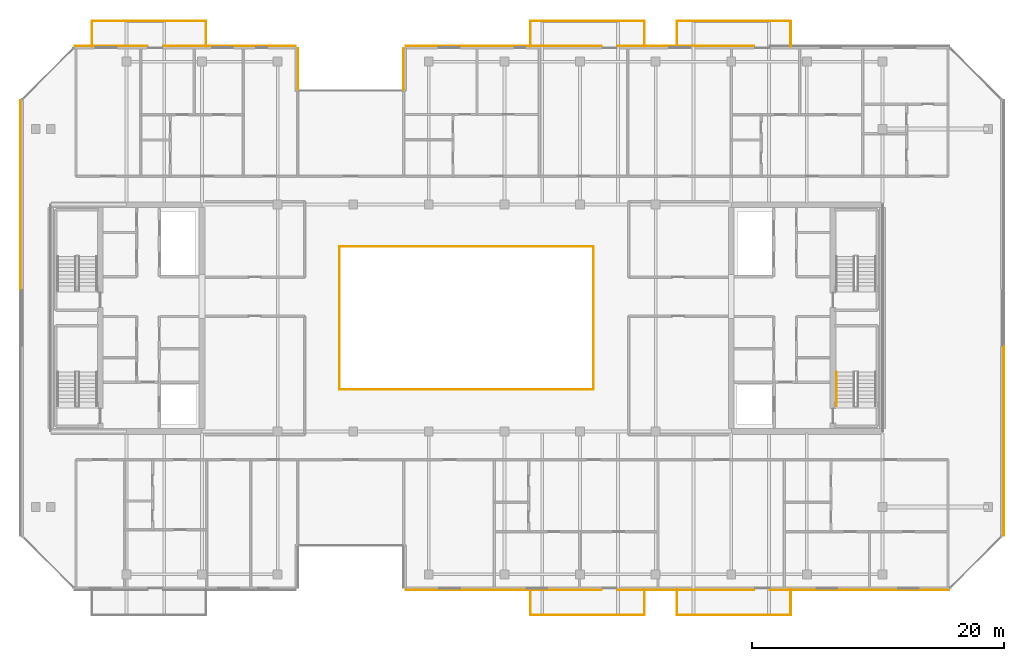
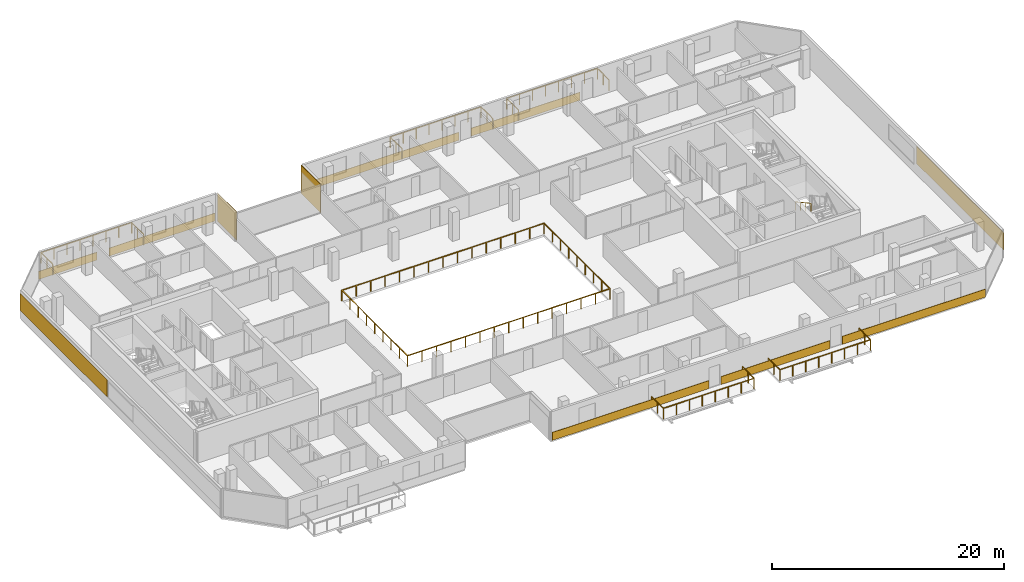
# One storey, part 23 of 24: 11 coverings, 8 railings.
"""IFC4 building model written with IfcOpenShell, lengths in metres."""

from ifc_helpers import new_model, si_unit, direction, frame, origin, origin_2d, place, context, subcontext, project, spatial, rectangle, extrude, material, layer, layer_set, type_object, element, save


model = new_model("IFC4")

# Units and contexts
model_context = context("Model", 3, precision=1e-05, world=origin(), true_north=direction((0.0, 1.0)))
body_context = subcontext(model_context, "Body", "Model", "MODEL_VIEW")
ifc_project = project(units=[si_unit("LENGTHUNIT", "METRE"), si_unit("AREAUNIT", "SQUARE_METRE"), si_unit("VOLUMEUNIT", "CUBIC_METRE"), si_unit("PLANEANGLEUNIT", "RADIAN"), si_unit("MASSUNIT", "GRAM", prefix="KILO")], contexts=[model_context])

# Site, building, storey
site_placement = place(None, origin())
site = spatial("IfcSite", under=ifc_project, at=site_placement, CompositionType="ELEMENT")
building_placement = place(site_placement, origin())
building = spatial("IfcBuilding", under=site, at=building_placement, Name="Tanjung Sevakor Pilgrim Tower", CompositionType="ELEMENT")
storey_placement = place(building_placement, frame((0.0, 0.0, 226.050048828125)))
storey = spatial("IfcBuildingStorey", under=building, at=storey_placement, Name="L63", CompositionType="ELEMENT", Elevation=226.050048828125)

# Coverings
ifc_material_1 = material(Name="Reconstructed Limestone Cladding", Category="masonry")
ifc_layer = layer(ifc_material_1, 0.044921875)
ifc_layer_set = layer_set([ifc_layer], Name="COV-CLAD-LIMESTONE")
covering_type = type_object("IfcCoveringType", Name="COV-CLAD-LIMESTONE", PredefinedType="CLADDING", material=ifc_layer_set)
covering_1_placement = place(storey_placement, frame((59.945068359375, 12.027587890625, 0.009765625), z_axis=(0.0, 0.0, 1.0), x_axis=(1.0, 0.0, 0.0)))
element("IfcCovering", 1, at=covering_1_placement, inside=storey, type_object=covering_type, Name="L63 Warm Limestone Sill Spandrel EW-L63-MAIN-5-1", PredefinedType="CLADDING", context=body_context, shape_type="SweptSolid", body=[
    extrude(rectangle(XDim=15.590087890625, YDim=0.044921875, at=origin_2d()), origin(), (0.0, 0.0, 1.0), 0.840087890625),
])
covering_2_placement = place(storey_placement, frame((74.39990234375, 12.027587890625, 0.009765625), z_axis=(0.0, 0.0, 1.0), x_axis=(1.0, 0.0, 0.0)))
element("IfcCovering", 2, at=covering_2_placement, inside=storey, type_object=covering_type, Name="L63 Warm Limestone Sill Spandrel EW-L63-MAIN-5-2", PredefinedType="CLADDING", context=body_context, shape_type="SweptSolid", body=[
    extrude(rectangle(XDim=10.8798828125, YDim=0.044921875, at=origin_2d()), origin(), (0.0, 0.0, 1.0), 0.840087890625),
])
covering_3_placement = place(storey_placement, frame((88.187255859375, 12.027587890625, 0.009765625), z_axis=(0.0, 0.0, 1.0), x_axis=(1.0, 0.0, 0.0)))
element("IfcCovering", 3, at=covering_3_placement, inside=storey, type_object=covering_type, Name="L63 Warm Limestone Sill Spandrel EW-L63-MAIN-5-3", PredefinedType="CLADDING", context=body_context, shape_type="SweptSolid", body=[
    extrude(rectangle(XDim=14.25439453125, YDim=0.044921875, at=origin_2d()), origin(), (0.0, 0.0, 1.0), 0.840087890625),
])
covering_4_placement = place(storey_placement, frame((99.62255859375, 23.8427734375, 0.849853515625), z_axis=(0.0, 0.0, 1.0), x_axis=(0.0, 1.0, 0.0)))
element("IfcCovering", 4, at=covering_4_placement, inside=storey, type_object=covering_type, Name="L63 Warm Limestone Pier Panel EW-L63-MAIN-7-1", PredefinedType="CLADDING", context=body_context, shape_type="SweptSolid", body=[
    extrude(rectangle(XDim=15.014404296875, YDim=0.044921875, at=origin_2d()), origin(), (0.0, 0.0, 1.0), 1.81005859375),
])
covering_5_placement = place(storey_placement, frame((74.39990234375, 55.172607421875, 0.009765625), z_axis=(0.0, 0.0, 1.0), x_axis=(-1.0, 0.0, 0.0)))
element("IfcCovering", 5, at=covering_5_placement, inside=storey, type_object=covering_type, Name="L63 Warm Limestone Sill Spandrel EW-L63-MAIN-9-2", PredefinedType="CLADDING", context=body_context, shape_type="SweptSolid", body=[
    extrude(rectangle(XDim=10.8798828125, YDim=0.044921875, at=origin_2d()), origin(), (0.0, 0.0, 1.0), 0.840087890625),
])
covering_6_placement = place(storey_placement, frame((59.945068359375, 55.172607421875, 0.009765625), z_axis=(0.0, 0.0, 1.0), x_axis=(-1.0, 0.0, 0.0)))
element("IfcCovering", 6, at=covering_6_placement, inside=storey, type_object=covering_type, Name="L63 Warm Limestone Sill Spandrel EW-L63-MAIN-9-3", PredefinedType="CLADDING", context=body_context, shape_type="SweptSolid", body=[
    extrude(rectangle(XDim=15.590087890625, YDim=0.044921875, at=origin_2d()), origin(), (0.0, 0.0, 1.0), 0.840087890625),
])
for number, where, z_axis, x_axis, name in (
    (7, (51.9775390625, 53.340087890625, 0.02001953125), (0.0, 0.0, 1.0), (0.0, -1.0, 0.0), "L63 Warm Limestone Wall Cladding EW-L63-MAIN-10"),
    (8, (43.62255859375, 53.340087890625, 0.02001953125), (0.0, 0.0, 1.0), (0.0, 1.0, 0.0), "L63 Warm Limestone Wall Cladding EW-L63-MAIN-12"),
):
    element("IfcCovering", number, at=place(storey_placement, frame(where, z_axis=z_axis, x_axis=x_axis)), inside=storey, type_object=covering_type, Name=name, PredefinedType="CLADDING", context=body_context, shape_type="SweptSolid", body=[
        extrude(rectangle(XDim=3.360107421875, YDim=0.044921875, at=origin_2d()), origin(), (0.0, 0.0, 1.0), 2.97998046875),
    ])
covering_7_placement = place(storey_placement, frame((38.179931640625, 55.172607421875, 0.009765625), z_axis=(0.0, 0.0, 1.0), x_axis=(-1.0, 0.0, 0.0)))
element("IfcCovering", 9, at=covering_7_placement, inside=storey, type_object=covering_type, Name="L63 Warm Limestone Sill Spandrel EW-L63-MAIN-13-1", PredefinedType="CLADDING", context=body_context, shape_type="SweptSolid", body=[
    extrude(rectangle(XDim=10.5400390625, YDim=0.044921875, at=origin_2d()), origin(), (0.0, 0.0, 1.0), 0.840087890625),
])
covering_8_placement = place(storey_placement, frame((28.787841796875, 55.172607421875, 0.009765625), z_axis=(0.0, 0.0, 1.0), x_axis=(-1.0, 0.0, 0.0)))
element("IfcCovering", 10, at=covering_8_placement, inside=storey, type_object=covering_type, Name="L63 Warm Limestone Sill Spandrel EW-L63-MAIN-13-2", PredefinedType="CLADDING", context=body_context, shape_type="SweptSolid", body=[
    extrude(rectangle(XDim=5.804443359375, YDim=0.044921875, at=origin_2d()), origin(), (0.0, 0.0, 1.0), 0.840087890625),
])
covering_9_placement = place(storey_placement, frame((21.577392578125, 43.357177734375, 0.849853515625), z_axis=(0.0, 0.0, 1.0), x_axis=(0.0, -1.0, 0.0)))
element("IfcCovering", 11, at=covering_9_placement, inside=storey, type_object=covering_type, Name="L63 Warm Limestone Pier Panel EW-L63-MAIN-15-1", PredefinedType="CLADDING", context=body_context, shape_type="SweptSolid", body=[
    extrude(rectangle(XDim=15.014404296875, YDim=0.044921875, at=origin_2d()), origin(), (0.0, 0.0, 1.0), 1.81005859375),
])

# Railings
ifc_material_2 = material(Name="Laminated Glass and Aluminium", Category="aluminium")
railing_type_1 = type_object("IfcRailingType", Name="RL-BAL-BALUST", PredefinedType="BALUSTRADE", material=ifc_material_2)
railing_1_placement = place(storey_placement, frame((46.919921875, 27.919921875, 0.0)))
element("IfcRailing", 12, at=railing_1_placement, inside=storey, type_object=railing_type_1, Name="L63 Void Opening Balustrade 1A", PredefinedType="BALUSTRADE", context=body_context, shape_type="SweptSolid", body=[
    extrude(rectangle(XDim=0.0479, YDim=0.0479), frame((0.0, 0.0, 1.1259765625), z_axis=(1.0, 0.0, 0.0), x_axis=(0.0, 1.0, 0.0)), (0.0, 0.0, 1.0), 20.16015625),
    extrude(rectangle(XDim=0.0479, YDim=0.0479), frame((20.16015625, 0.0, 1.1259765625), z_axis=(0.0, 1.0, 0.0), x_axis=(-1.0, 0.0, 0.0)), (0.0, 0.0, 1.0), 11.360107421875),
    extrude(rectangle(XDim=0.042, YDim=0.042), origin(), (0.0, 0.0, 1.0), 1.101806640625),
    extrude(rectangle(XDim=0.042, YDim=0.042), frame((1.43994140625, 0.0, 0.0)), (0.0, 0.0, 1.0), 1.101806640625),
    extrude(rectangle(XDim=0.042, YDim=0.042), frame((2.880126953125, 0.0, 0.0)), (0.0, 0.0, 1.0), 1.101806640625),
    extrude(rectangle(XDim=0.042, YDim=0.042), frame((4.320068359375, 0.0, 0.0)), (0.0, 0.0, 1.0), 1.101806640625),
    extrude(rectangle(XDim=0.042, YDim=0.042), frame((5.760009765625, 0.0, 0.0)), (0.0, 0.0, 1.0), 1.101806640625),
    extrude(rectangle(XDim=0.042, YDim=0.042), frame((7.199951171875, 0.0, 0.0)), (0.0, 0.0, 1.0), 1.101806640625),
    extrude(rectangle(XDim=0.042, YDim=0.042), frame((8.64013671875, 0.0, 0.0)), (0.0, 0.0, 1.0), 1.101806640625),
    extrude(rectangle(XDim=0.042, YDim=0.042), frame((10.080078125, 0.0, 0.0)), (0.0, 0.0, 1.0), 1.101806640625),
    extrude(rectangle(XDim=0.042, YDim=0.042), frame((11.52001953125, 0.0, 0.0)), (0.0, 0.0, 1.0), 1.101806640625),
    extrude(rectangle(XDim=0.042, YDim=0.042), frame((12.960205078125, 0.0, 0.0)), (0.0, 0.0, 1.0), 1.101806640625),
    extrude(rectangle(XDim=0.042, YDim=0.042), frame((14.400146484375, 0.0, 0.0)), (0.0, 0.0, 1.0), 1.101806640625),
    extrude(rectangle(XDim=0.042, YDim=0.042), frame((15.840087890625, 0.0, 0.0)), (0.0, 0.0, 1.0), 1.101806640625),
    extrude(rectangle(XDim=0.042, YDim=0.042), frame((17.280029296875, 0.0, 0.0)), (0.0, 0.0, 1.0), 1.101806640625),
    extrude(rectangle(XDim=0.042, YDim=0.042), frame((18.72021484375, 0.0, 0.0)), (0.0, 0.0, 1.0), 1.101806640625),
    extrude(rectangle(XDim=0.042, YDim=0.042), frame((20.16015625, 0.0, 0.0)), (0.0, 0.0, 1.0), 1.101806640625),
    extrude(rectangle(XDim=0.042, YDim=0.042), frame((20.16015625, 1.419921875, 0.0)), (0.0, 0.0, 1.0), 1.101806640625),
    extrude(rectangle(XDim=0.042, YDim=0.042), frame((20.16015625, 2.840087890625, 0.0)), (0.0, 0.0, 1.0), 1.101806640625),
    extrude(rectangle(XDim=0.042, YDim=0.042), frame((20.16015625, 4.260009765625, 0.0)), (0.0, 0.0, 1.0), 1.101806640625),
    extrude(rectangle(XDim=0.042, YDim=0.042), frame((20.16015625, 5.68017578125, 0.0)), (0.0, 0.0, 1.0), 1.101806640625),
    extrude(rectangle(XDim=0.042, YDim=0.042), frame((20.16015625, 7.10009765625, 0.0)), (0.0, 0.0, 1.0), 1.101806640625),
    extrude(rectangle(XDim=0.042, YDim=0.042), frame((20.16015625, 8.52001953125, 0.0)), (0.0, 0.0, 1.0), 1.101806640625),
    extrude(rectangle(XDim=0.042, YDim=0.042), frame((20.16015625, 9.940185546875, 0.0)), (0.0, 0.0, 1.0), 1.101806640625),
    extrude(rectangle(XDim=0.042, YDim=0.042), frame((20.16015625, 11.360107421875, 0.0)), (0.0, 0.0, 1.0), 1.101806640625),
])
railing_2_placement = place(storey_placement, frame((67.080078125, 39.280029296875, 0.0)))
element("IfcRailing", 13, at=railing_2_placement, inside=storey, type_object=railing_type_1, Name="L63 Void Opening Balustrade 1B", PredefinedType="BALUSTRADE", context=body_context, shape_type="SweptSolid", body=[
    extrude(rectangle(XDim=0.0479, YDim=0.0479), frame((0.0, 0.0, 1.1259765625), z_axis=(-1.0, 0.0, 0.0), x_axis=(0.0, -1.0, 0.0)), (0.0, 0.0, 1.0), 20.16015625),
    extrude(rectangle(XDim=0.0479, YDim=0.0479), frame((-20.16015625, 0.0, 1.1259765625), z_axis=(0.0, -1.0, 0.0), x_axis=(1.0, 0.0, 0.0)), (0.0, 0.0, 1.0), 11.360107421875),
    extrude(rectangle(XDim=0.042, YDim=0.042), origin(), (0.0, 0.0, 1.0), 1.101806640625),
    extrude(rectangle(XDim=0.042, YDim=0.042), frame((-1.43994140625, 0.0, 0.0)), (0.0, 0.0, 1.0), 1.101806640625),
    extrude(rectangle(XDim=0.042, YDim=0.042), frame((-2.880126953125, 0.0, 0.0)), (0.0, 0.0, 1.0), 1.101806640625),
    extrude(rectangle(XDim=0.042, YDim=0.042), frame((-4.320068359375, 0.0, 0.0)), (0.0, 0.0, 1.0), 1.101806640625),
    extrude(rectangle(XDim=0.042, YDim=0.042), frame((-5.760009765625, 0.0, 0.0)), (0.0, 0.0, 1.0), 1.101806640625),
    extrude(rectangle(XDim=0.042, YDim=0.042), frame((-7.199951171875, 0.0, 0.0)), (0.0, 0.0, 1.0), 1.101806640625),
    extrude(rectangle(XDim=0.042, YDim=0.042), frame((-8.64013671875, 0.0, 0.0)), (0.0, 0.0, 1.0), 1.101806640625),
    extrude(rectangle(XDim=0.042, YDim=0.042), frame((-10.080078125, 0.0, 0.0)), (0.0, 0.0, 1.0), 1.101806640625),
    extrude(rectangle(XDim=0.042, YDim=0.042), frame((-11.52001953125, 0.0, 0.0)), (0.0, 0.0, 1.0), 1.101806640625),
    extrude(rectangle(XDim=0.042, YDim=0.042), frame((-12.960205078125, 0.0, 0.0)), (0.0, 0.0, 1.0), 1.101806640625),
    extrude(rectangle(XDim=0.042, YDim=0.042), frame((-14.400146484375, 0.0, 0.0)), (0.0, 0.0, 1.0), 1.101806640625),
    extrude(rectangle(XDim=0.042, YDim=0.042), frame((-15.840087890625, 0.0, 0.0)), (0.0, 0.0, 1.0), 1.101806640625),
    extrude(rectangle(XDim=0.042, YDim=0.042), frame((-17.280029296875, 0.0, 0.0)), (0.0, 0.0, 1.0), 1.101806640625),
    extrude(rectangle(XDim=0.042, YDim=0.042), frame((-18.72021484375, 0.0, 0.0)), (0.0, 0.0, 1.0), 1.101806640625),
    extrude(rectangle(XDim=0.042, YDim=0.042), frame((-20.16015625, 0.0, 0.0)), (0.0, 0.0, 1.0), 1.101806640625),
    extrude(rectangle(XDim=0.042, YDim=0.042), frame((-20.16015625, -1.419921875, 0.0)), (0.0, 0.0, 1.0), 1.101806640625),
    extrude(rectangle(XDim=0.042, YDim=0.042), frame((-20.16015625, -2.840087890625, 0.0)), (0.0, 0.0, 1.0), 1.101806640625),
    extrude(rectangle(XDim=0.042, YDim=0.042), frame((-20.16015625, -4.260009765625, 0.0)), (0.0, 0.0, 1.0), 1.101806640625),
    extrude(rectangle(XDim=0.042, YDim=0.042), frame((-20.16015625, -5.68017578125, 0.0)), (0.0, 0.0, 1.0), 1.101806640625),
    extrude(rectangle(XDim=0.042, YDim=0.042), frame((-20.16015625, -7.10009765625, 0.0)), (0.0, 0.0, 1.0), 1.101806640625),
    extrude(rectangle(XDim=0.042, YDim=0.042), frame((-20.16015625, -8.52001953125, 0.0)), (0.0, 0.0, 1.0), 1.101806640625),
    extrude(rectangle(XDim=0.042, YDim=0.042), frame((-20.16015625, -9.940185546875, 0.0)), (0.0, 0.0, 1.0), 1.101806640625),
    extrude(rectangle(XDim=0.042, YDim=0.042), frame((-20.16015625, -11.360107421875, 0.0)), (0.0, 0.0, 1.0), 1.101806640625),
])
railing_3_placement = place(storey_placement, frame((27.280029296875, 55.14990234375, 0.0)))
element("IfcRailing", 14, at=railing_3_placement, inside=storey, type_object=railing_type_1, Name="L63 Loggia Balustrade MAIN-N1", PredefinedType="BALUSTRADE", context=body_context, shape_type="SweptSolid", body=[
    extrude(rectangle(XDim=0.0479, YDim=0.0479), frame((0.0, 0.0, 1.1259765625), z_axis=(0.0, 1.0, 0.0), x_axis=(-1.0, 0.0, 0.0)), (0.0, 0.0, 1.0), 2.02001953125),
    extrude(rectangle(XDim=0.0479, YDim=0.0479), frame((0.0, 2.02001953125, 1.1259765625), z_axis=(1.0, 0.0, 0.0), x_axis=(0.0, 1.0, 0.0)), (0.0, 0.0, 1.0), 9.0400390625),
    extrude(rectangle(XDim=0.0479, YDim=0.0479), frame((9.0400390625, 2.02001953125, 1.1259765625), z_axis=(0.0, -1.0, 0.0), x_axis=(1.0, 0.0, 0.0)), (0.0, 0.0, 1.0), 2.02001953125),
    extrude(rectangle(XDim=0.042, YDim=0.042), origin(), (0.0, 0.0, 1.0), 1.101806640625),
    extrude(rectangle(XDim=0.042, YDim=0.042), frame((0.0, 1.010009765625, 0.0)), (0.0, 0.0, 1.0), 1.101806640625),
    extrude(rectangle(XDim=0.042, YDim=0.042), frame((0.0, 2.02001953125, 0.0)), (0.0, 0.0, 1.0), 1.101806640625),
    extrude(rectangle(XDim=0.042, YDim=0.042), frame((1.29150390625, 2.02001953125, 0.0)), (0.0, 0.0, 1.0), 1.101806640625),
    extrude(rectangle(XDim=0.042, YDim=0.042), frame((2.582763671875, 2.02001953125, 0.0)), (0.0, 0.0, 1.0), 1.101806640625),
    extrude(rectangle(XDim=0.042, YDim=0.042), frame((3.874267578125, 2.02001953125, 0.0)), (0.0, 0.0, 1.0), 1.101806640625),
    extrude(rectangle(XDim=0.042, YDim=0.042), frame((5.165771484375, 2.02001953125, 0.0)), (0.0, 0.0, 1.0), 1.101806640625),
    extrude(rectangle(XDim=0.042, YDim=0.042), frame((6.457275390625, 2.02001953125, 0.0)), (0.0, 0.0, 1.0), 1.101806640625),
    extrude(rectangle(XDim=0.042, YDim=0.042), frame((7.74853515625, 2.02001953125, 0.0)), (0.0, 0.0, 1.0), 1.101806640625),
    extrude(rectangle(XDim=0.042, YDim=0.042), frame((9.0400390625, 2.02001953125, 0.0)), (0.0, 0.0, 1.0), 1.101806640625),
    extrude(rectangle(XDim=0.042, YDim=0.042), frame((9.0400390625, 1.010009765625, 0.0)), (0.0, 0.0, 1.0), 1.101806640625),
    extrude(rectangle(XDim=0.042, YDim=0.042), frame((9.0400390625, 0.0, 0.0)), (0.0, 0.0, 1.0), 1.101806640625),
])
railing_4_placement = place(storey_placement, frame((62.080078125, 12.050048828125, 0.0)))
element("IfcRailing", 15, at=railing_4_placement, inside=storey, type_object=railing_type_1, Name="L63 Loggia Balustrade MAIN-S2", PredefinedType="BALUSTRADE", context=body_context, shape_type="SweptSolid", body=[
    extrude(rectangle(XDim=0.0479, YDim=0.0479), frame((0.0, 0.0, 1.1259765625), z_axis=(0.0, -1.0, 0.0), x_axis=(1.0, 0.0, 0.0)), (0.0, 0.0, 1.0), 2.02001953125),
    extrude(rectangle(XDim=0.0479, YDim=0.0479), frame((0.0, -2.02001953125, 1.1259765625), z_axis=(1.0, 0.0, 0.0), x_axis=(0.0, 1.0, 0.0)), (0.0, 0.0, 1.0), 9.0400390625),
    extrude(rectangle(XDim=0.0479, YDim=0.0479), frame((9.0400390625, -2.02001953125, 1.1259765625), z_axis=(0.0, 1.0, 0.0), x_axis=(-1.0, 0.0, 0.0)), (0.0, 0.0, 1.0), 2.02001953125),
    extrude(rectangle(XDim=0.042, YDim=0.042), origin(), (0.0, 0.0, 1.0), 1.101806640625),
    extrude(rectangle(XDim=0.042, YDim=0.042), frame((0.0, -1.010009765625, 0.0)), (0.0, 0.0, 1.0), 1.101806640625),
    extrude(rectangle(XDim=0.042, YDim=0.042), frame((0.0, -2.02001953125, 0.0)), (0.0, 0.0, 1.0), 1.101806640625),
    extrude(rectangle(XDim=0.042, YDim=0.042), frame((1.29150390625, -2.02001953125, 0.0)), (0.0, 0.0, 1.0), 1.101806640625),
    extrude(rectangle(XDim=0.042, YDim=0.042), frame((2.582763671875, -2.02001953125, 0.0)), (0.0, 0.0, 1.0), 1.101806640625),
    extrude(rectangle(XDim=0.042, YDim=0.042), frame((3.874267578125, -2.02001953125, 0.0)), (0.0, 0.0, 1.0), 1.101806640625),
    extrude(rectangle(XDim=0.042, YDim=0.042), frame((5.165771484375, -2.02001953125, 0.0)), (0.0, 0.0, 1.0), 1.101806640625),
    extrude(rectangle(XDim=0.042, YDim=0.042), frame((6.457275390625, -2.02001953125, 0.0)), (0.0, 0.0, 1.0), 1.101806640625),
    extrude(rectangle(XDim=0.042, YDim=0.042), frame((7.74853515625, -2.02001953125, 0.0)), (0.0, 0.0, 1.0), 1.101806640625),
    extrude(rectangle(XDim=0.042, YDim=0.042), frame((9.0400390625, -2.02001953125, 0.0)), (0.0, 0.0, 1.0), 1.101806640625),
    extrude(rectangle(XDim=0.042, YDim=0.042), frame((9.0400390625, -1.010009765625, 0.0)), (0.0, 0.0, 1.0), 1.101806640625),
    extrude(rectangle(XDim=0.042, YDim=0.042), frame((9.0400390625, 0.0, 0.0)), (0.0, 0.0, 1.0), 1.101806640625),
])
railing_5_placement = place(storey_placement, frame((62.080078125, 55.14990234375, 0.0)))
element("IfcRailing", 16, at=railing_5_placement, inside=storey, type_object=railing_type_1, Name="L63 Loggia Balustrade MAIN-N2", PredefinedType="BALUSTRADE", context=body_context, shape_type="SweptSolid", body=[
    extrude(rectangle(XDim=0.0479, YDim=0.0479), frame((0.0, 0.0, 1.1259765625), z_axis=(0.0, 1.0, 0.0), x_axis=(-1.0, 0.0, 0.0)), (0.0, 0.0, 1.0), 2.02001953125),
    extrude(rectangle(XDim=0.0479, YDim=0.0479), frame((0.0, 2.02001953125, 1.1259765625), z_axis=(1.0, 0.0, 0.0), x_axis=(0.0, 1.0, 0.0)), (0.0, 0.0, 1.0), 9.0400390625),
    extrude(rectangle(XDim=0.0479, YDim=0.0479), frame((9.0400390625, 2.02001953125, 1.1259765625), z_axis=(0.0, -1.0, 0.0), x_axis=(1.0, 0.0, 0.0)), (0.0, 0.0, 1.0), 2.02001953125),
    extrude(rectangle(XDim=0.042, YDim=0.042), origin(), (0.0, 0.0, 1.0), 1.101806640625),
    extrude(rectangle(XDim=0.042, YDim=0.042), frame((0.0, 1.010009765625, 0.0)), (0.0, 0.0, 1.0), 1.101806640625),
    extrude(rectangle(XDim=0.042, YDim=0.042), frame((0.0, 2.02001953125, 0.0)), (0.0, 0.0, 1.0), 1.101806640625),
    extrude(rectangle(XDim=0.042, YDim=0.042), frame((1.29150390625, 2.02001953125, 0.0)), (0.0, 0.0, 1.0), 1.101806640625),
    extrude(rectangle(XDim=0.042, YDim=0.042), frame((2.582763671875, 2.02001953125, 0.0)), (0.0, 0.0, 1.0), 1.101806640625),
    extrude(rectangle(XDim=0.042, YDim=0.042), frame((3.874267578125, 2.02001953125, 0.0)), (0.0, 0.0, 1.0), 1.101806640625),
    extrude(rectangle(XDim=0.042, YDim=0.042), frame((5.165771484375, 2.02001953125, 0.0)), (0.0, 0.0, 1.0), 1.101806640625),
    extrude(rectangle(XDim=0.042, YDim=0.042), frame((6.457275390625, 2.02001953125, 0.0)), (0.0, 0.0, 1.0), 1.101806640625),
    extrude(rectangle(XDim=0.042, YDim=0.042), frame((7.74853515625, 2.02001953125, 0.0)), (0.0, 0.0, 1.0), 1.101806640625),
    extrude(rectangle(XDim=0.042, YDim=0.042), frame((9.0400390625, 2.02001953125, 0.0)), (0.0, 0.0, 1.0), 1.101806640625),
    extrude(rectangle(XDim=0.042, YDim=0.042), frame((9.0400390625, 1.010009765625, 0.0)), (0.0, 0.0, 1.0), 1.101806640625),
    extrude(rectangle(XDim=0.042, YDim=0.042), frame((9.0400390625, 0.0, 0.0)), (0.0, 0.0, 1.0), 1.101806640625),
])
railing_6_placement = place(storey_placement, frame((73.679931640625, 12.050048828125, 0.0)))
element("IfcRailing", 17, at=railing_6_placement, inside=storey, type_object=railing_type_1, Name="L63 Loggia Balustrade MAIN-S3", PredefinedType="BALUSTRADE", context=body_context, shape_type="SweptSolid", body=[
    extrude(rectangle(XDim=0.0479, YDim=0.0479), frame((0.0, 0.0, 1.1259765625), z_axis=(0.0, -1.0, 0.0), x_axis=(1.0, 0.0, 0.0)), (0.0, 0.0, 1.0), 2.02001953125),
    extrude(rectangle(XDim=0.0479, YDim=0.0479), frame((0.0, -2.02001953125, 1.1259765625), z_axis=(1.0, 0.0, 0.0), x_axis=(0.0, 1.0, 0.0)), (0.0, 0.0, 1.0), 9.0400390625),
    extrude(rectangle(XDim=0.0479, YDim=0.0479), frame((9.0400390625, -2.02001953125, 1.1259765625), z_axis=(0.0, 1.0, 0.0), x_axis=(-1.0, 0.0, 0.0)), (0.0, 0.0, 1.0), 2.02001953125),
    extrude(rectangle(XDim=0.042, YDim=0.042), origin(), (0.0, 0.0, 1.0), 1.101806640625),
    extrude(rectangle(XDim=0.042, YDim=0.042), frame((0.0, -1.010009765625, 0.0)), (0.0, 0.0, 1.0), 1.101806640625),
    extrude(rectangle(XDim=0.042, YDim=0.042), frame((0.0, -2.02001953125, 0.0)), (0.0, 0.0, 1.0), 1.101806640625),
    extrude(rectangle(XDim=0.042, YDim=0.042), frame((1.29150390625, -2.02001953125, 0.0)), (0.0, 0.0, 1.0), 1.101806640625),
    extrude(rectangle(XDim=0.042, YDim=0.042), frame((2.582763671875, -2.02001953125, 0.0)), (0.0, 0.0, 1.0), 1.101806640625),
    extrude(rectangle(XDim=0.042, YDim=0.042), frame((3.874267578125, -2.02001953125, 0.0)), (0.0, 0.0, 1.0), 1.101806640625),
    extrude(rectangle(XDim=0.042, YDim=0.042), frame((5.165771484375, -2.02001953125, 0.0)), (0.0, 0.0, 1.0), 1.101806640625),
    extrude(rectangle(XDim=0.042, YDim=0.042), frame((6.457275390625, -2.02001953125, 0.0)), (0.0, 0.0, 1.0), 1.101806640625),
    extrude(rectangle(XDim=0.042, YDim=0.042), frame((7.74853515625, -2.02001953125, 0.0)), (0.0, 0.0, 1.0), 1.101806640625),
    extrude(rectangle(XDim=0.042, YDim=0.042), frame((9.0400390625, -2.02001953125, 0.0)), (0.0, 0.0, 1.0), 1.101806640625),
    extrude(rectangle(XDim=0.042, YDim=0.042), frame((9.0400390625, -1.010009765625, 0.0)), (0.0, 0.0, 1.0), 1.101806640625),
    extrude(rectangle(XDim=0.042, YDim=0.042), frame((9.0400390625, 0.0, 0.0)), (0.0, 0.0, 1.0), 1.101806640625),
])
railing_7_placement = place(storey_placement, frame((73.679931640625, 55.14990234375, 0.0)))
element("IfcRailing", 18, at=railing_7_placement, inside=storey, type_object=railing_type_1, Name="L63 Loggia Balustrade MAIN-N3", PredefinedType="BALUSTRADE", context=body_context, shape_type="SweptSolid", body=[
    extrude(rectangle(XDim=0.0479, YDim=0.0479), frame((0.0, 0.0, 1.1259765625), z_axis=(0.0, 1.0, 0.0), x_axis=(-1.0, 0.0, 0.0)), (0.0, 0.0, 1.0), 2.02001953125),
    extrude(rectangle(XDim=0.0479, YDim=0.0479), frame((0.0, 2.02001953125, 1.1259765625), z_axis=(1.0, 0.0, 0.0), x_axis=(0.0, 1.0, 0.0)), (0.0, 0.0, 1.0), 9.0400390625),
    extrude(rectangle(XDim=0.0479, YDim=0.0479), frame((9.0400390625, 2.02001953125, 1.1259765625), z_axis=(0.0, -1.0, 0.0), x_axis=(1.0, 0.0, 0.0)), (0.0, 0.0, 1.0), 2.02001953125),
    extrude(rectangle(XDim=0.042, YDim=0.042), origin(), (0.0, 0.0, 1.0), 1.101806640625),
    extrude(rectangle(XDim=0.042, YDim=0.042), frame((0.0, 1.010009765625, 0.0)), (0.0, 0.0, 1.0), 1.101806640625),
    extrude(rectangle(XDim=0.042, YDim=0.042), frame((0.0, 2.02001953125, 0.0)), (0.0, 0.0, 1.0), 1.101806640625),
    extrude(rectangle(XDim=0.042, YDim=0.042), frame((1.29150390625, 2.02001953125, 0.0)), (0.0, 0.0, 1.0), 1.101806640625),
    extrude(rectangle(XDim=0.042, YDim=0.042), frame((2.582763671875, 2.02001953125, 0.0)), (0.0, 0.0, 1.0), 1.101806640625),
    extrude(rectangle(XDim=0.042, YDim=0.042), frame((3.874267578125, 2.02001953125, 0.0)), (0.0, 0.0, 1.0), 1.101806640625),
    extrude(rectangle(XDim=0.042, YDim=0.042), frame((5.165771484375, 2.02001953125, 0.0)), (0.0, 0.0, 1.0), 1.101806640625),
    extrude(rectangle(XDim=0.042, YDim=0.042), frame((6.457275390625, 2.02001953125, 0.0)), (0.0, 0.0, 1.0), 1.101806640625),
    extrude(rectangle(XDim=0.042, YDim=0.042), frame((7.74853515625, 2.02001953125, 0.0)), (0.0, 0.0, 1.0), 1.101806640625),
    extrude(rectangle(XDim=0.042, YDim=0.042), frame((9.0400390625, 2.02001953125, 0.0)), (0.0, 0.0, 1.0), 1.101806640625),
    extrude(rectangle(XDim=0.042, YDim=0.042), frame((9.0400390625, 1.010009765625, 0.0)), (0.0, 0.0, 1.0), 1.101806640625),
    extrude(rectangle(XDim=0.042, YDim=0.042), frame((9.0400390625, 0.0, 0.0)), (0.0, 0.0, 1.0), 1.101806640625),
])
ifc_material_3 = material(Name="Steel S355J2", Category="steel")
railing_type_2 = type_object("IfcRailingType", Name="RL-STAIR-HAND", PredefinedType="HANDRAIL", material=ifc_material_3)
railing_8_placement = place(storey_placement, frame((86.35009765625, 29.300048828125, 1.81494140625)))
element("IfcRailing", 19, at=railing_8_placement, inside=storey, type_object=railing_type_2, Name="L63 TS-E1 stair handrail 2", PredefinedType="HANDRAIL", context=body_context, shape_type="SweptSolid", body=[
    extrude(rectangle(XDim=0.0479, YDim=0.0479), frame((0.0, 0.0, 0.8759765625), z_axis=(0.0, -0.876197507361, 0.481952205197), x_axis=(1.0, 0.0, 0.0)), (0.0, 0.0, 1.0), 3.08154296875),
    extrude(rectangle(XDim=0.042, YDim=0.042), origin(), (0.0, 0.0, 1.0), 0.851806640625),
    extrude(rectangle(XDim=0.042, YDim=0.042), frame((0.0, -0.89990234375, 0.4951171875)), (0.0, 0.0, 1.0), 0.851806640625),
    extrude(rectangle(XDim=0.042, YDim=0.042), frame((0.0, -1.800048828125, 0.989990234375)), (0.0, 0.0, 1.0), 0.851806640625),
    extrude(rectangle(XDim=0.042, YDim=0.042), frame((0.0, -2.699951171875, 1.485107421875)), (0.0, 0.0, 1.0), 0.851806640625),
])

save(model, "model.ifc")
